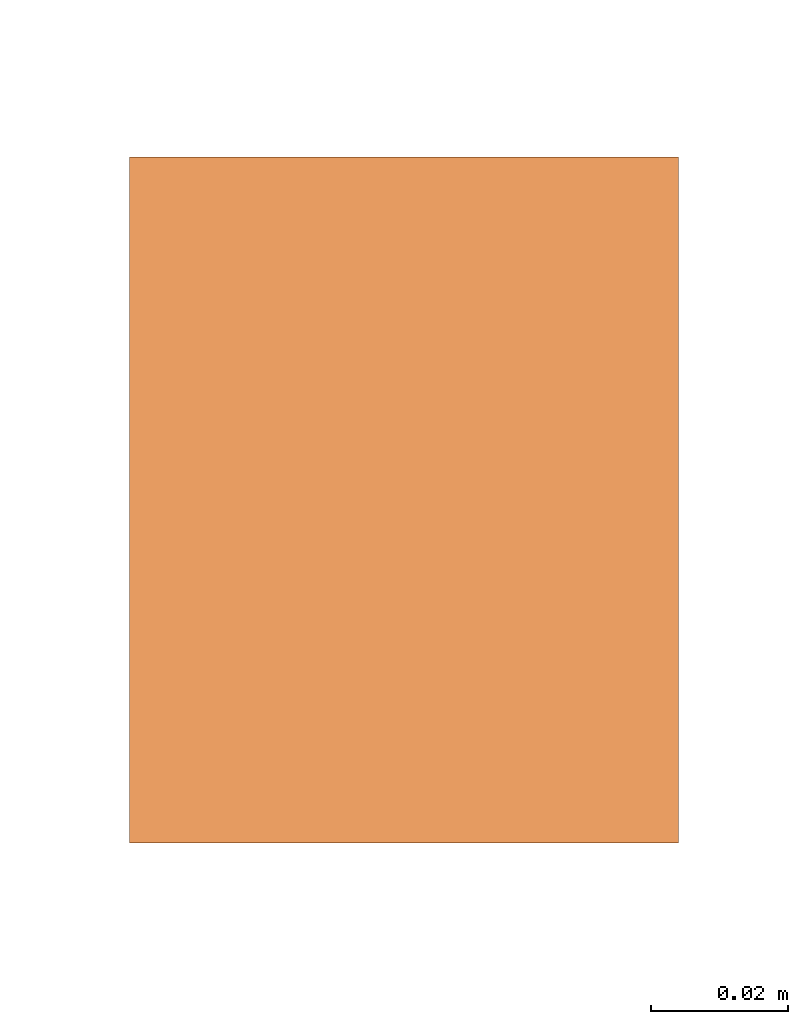
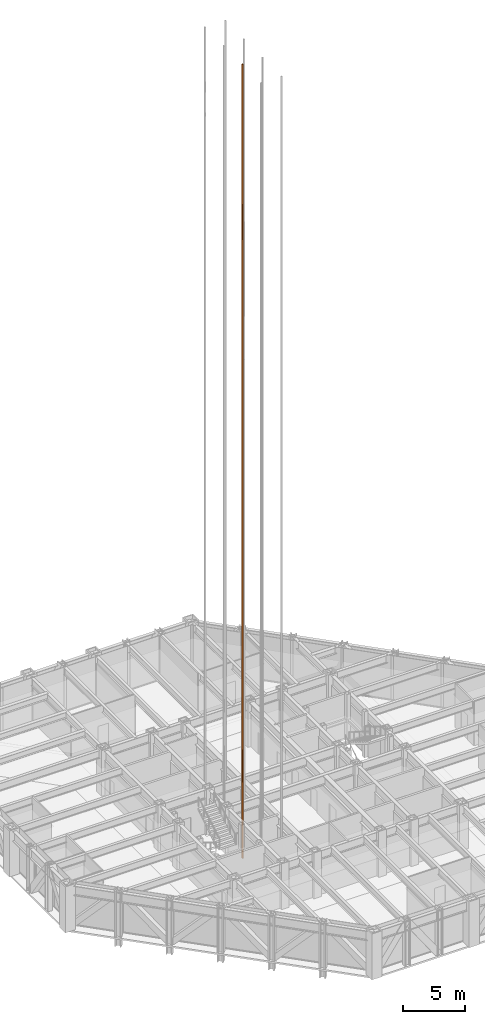
# One storey, part 21 of 26: 1 proxy.
"""IFC4 building model written with IfcOpenShell, lengths in metres."""

from ifc_helpers import new_model, si_unit, direction, frame, origin, origin_2d, place, context, subcontext, project, spatial, rectangle, extrude, material, type_object, element, save


model = new_model("IFC4")

# Units and contexts
model_context = context("Model", 3, precision=1e-05, world=origin(), true_north=direction((0.0, 1.0)))
body_context = subcontext(model_context, "Body", "Model", "MODEL_VIEW")
ifc_project = project(units=[si_unit("LENGTHUNIT", "METRE"), si_unit("AREAUNIT", "SQUARE_METRE"), si_unit("VOLUMEUNIT", "CUBIC_METRE"), si_unit("PLANEANGLEUNIT", "RADIAN"), si_unit("MASSUNIT", "GRAM", prefix="KILO")], contexts=[model_context])

# Site, building, storey
site_placement = place(None, origin())
site = spatial("IfcSite", under=ifc_project, at=site_placement, CompositionType="ELEMENT")
building_placement = place(site_placement, origin())
building = spatial("IfcBuilding", under=site, at=building_placement, Name="Chuquiago Exchange Tower", CompositionType="ELEMENT")
storey_placement = place(building_placement, frame((0.0, 0.0, 102.300048828125)))
storey = spatial("IfcBuildingStorey", under=building, at=storey_placement, Name="L21", CompositionType="ELEMENT", Elevation=102.300048828125)

# Proxy
ifc_material = material(Name="Galvanised steel guide rail", Category="steel")
building_element_proxy_type = type_object("IfcBuildingElementProxyType", Name="LR lift guide rail", PredefinedType="NOTDEFINED", material=ifc_material)
proxy_placement = place(storey_placement, frame((17.06494140625, 19.5, 0.0), z_axis=(0.0, 0.0, 1.0), x_axis=(1.0, 0.0, 0.0)))
element("IfcBuildingElementProxy", 1, at=proxy_placement, inside=storey, type_object=building_element_proxy_type, Name="Lift LB2 guide rail W", PredefinedType="NOTDEFINED", context=body_context, shape_type="SweptSolid", body=[
    extrude(rectangle(XDim=0.080078125, YDim=0.10009765625, at=origin_2d()), origin(), (0.0, 0.0, 1.0), 77.699951171875),
])

save(model, "model.ifc")
